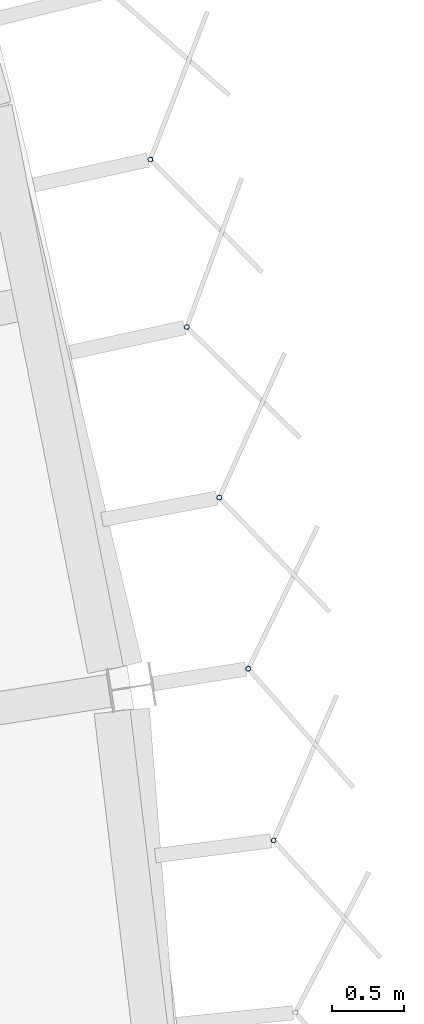
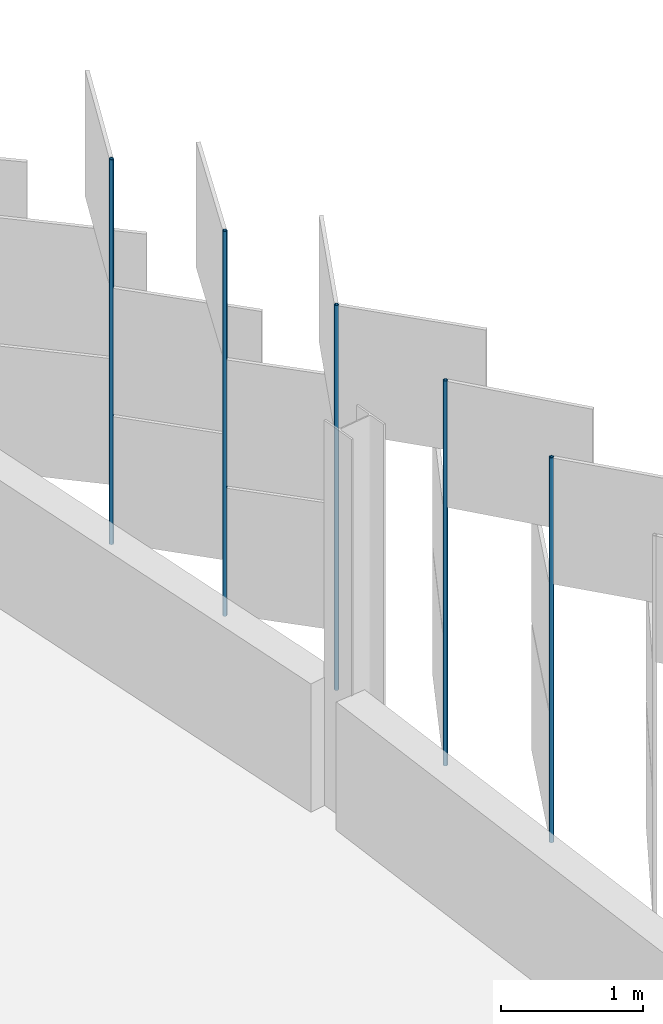
# One storey, part 119 of 198: 5 discrete accessories.
"""IFC4 building model written with IfcOpenShell, lengths in metres."""

import ifcopenshell
import ifcopenshell.guid

model = None  # the IFC model being written
_history = None  # IfcOwnerHistory: only IFC2X3 demands one
_inside = {}  # id of a spatial element -> (the spatial element, [elements in it])
_under = {}  # id of a project, library or spatial element -> (it, [spatial elements below it])
_declared = {}  # id of a project -> (the project, [libraries it declares])
_typed = {}  # id of a type object -> (the type object, [elements of that type])
_made_of = {}  # id of a material, layer set ... -> (it, [elements and type objects made of it])


def new_model(schema):
    """Start an empty IFC model of exactly this schema.

    Asked for "IFC4X3", IfcOpenShell would pick the latest addendum, in which some entities
    have other attributes; the version numbers below select the first issue.
    IFC2X3 requires an IfcOwnerHistory on every rooted entity: one is made here for all.
    """
    global model, _history
    if schema == "IFC4X3":
        model = ifcopenshell.file(schema_version=(4, 3, 0, 0))
    else:
        model = ifcopenshell.file(schema=schema)
    _inside.clear()
    _under.clear()
    _declared.clear()
    _typed.clear()
    _made_of.clear()
    _history = None
    if model.schema == "IFC2X3":
        org = make("IfcOrganization", Name="unknown")
        user = make(
            "IfcPersonAndOrganization",
            ThePerson=make("IfcPerson", FamilyName="unknown"),
            TheOrganization=org,
        )
        app = make(
            "IfcApplication",
            ApplicationDeveloper=org,
            Version="unknown",
            ApplicationFullName="unknown",
            ApplicationIdentifier="unknown",
        )
        _history = make(
            "IfcOwnerHistory",
            OwningUser=user,
            OwningApplication=app,
            ChangeAction="ADDED",
            CreationDate=0,
        )
    return model


def make(cls, **values):
    """One entity of the class cls with the attributes given. An attribute that is None is left unset."""
    return model.create_entity(
        cls, **{name: value for name, value in values.items() if value is not None}
    )


def rooted(cls, **values):
    """An entity with a GlobalId (a new one), such as an element, a storey or a relation."""
    return make(cls, GlobalId=ifcopenshell.guid.new(), OwnerHistory=_history, **values)


def si_unit(unit_type, name, prefix=None):
    """IfcSIUnit, for example si_unit("LENGTHUNIT", "METRE", prefix="MILLI")."""
    return make("IfcSIUnit", UnitType=unit_type, Prefix=prefix, Name=name)


def assignment(units):
    """IfcUnitAssignment: the units of a project."""
    return None if units is None else make("IfcUnitAssignment", Units=units)


def point(xyz):
    """IfcCartesianPoint."""
    return None if xyz is None else make("IfcCartesianPoint", Coordinates=xyz)


def direction(xyz):
    """IfcDirection."""
    return None if xyz is None else make("IfcDirection", DirectionRatios=xyz)


def frame(location, z_axis=None, x_axis=None):
    """IfcAxis2Placement3D, a coordinate frame: its origin and axes. An axis left out is left unset."""
    return make(
        "IfcAxis2Placement3D",
        Location=point(location),
        Axis=direction(z_axis),
        RefDirection=direction(x_axis),
    )


def frame_2d(location, x_axis=None):
    """IfcAxis2Placement2D, a coordinate frame in the plane: its origin and x axis."""
    return make(
        "IfcAxis2Placement2D", Location=point(location), RefDirection=direction(x_axis)
    )


def origin():
    """The frame at (0, 0, 0) with its axes left unset."""
    return frame((0.0, 0.0, 0.0))


def origin_2d():
    """The frame at (0, 0) in the plane with its x axis left unset."""
    return frame_2d((0.0, 0.0))


def place(relative_to, where):
    """IfcLocalPlacement: puts the frame where relative to a parent placement (None: the world)."""
    return make(
        "IfcLocalPlacement", PlacementRelTo=relative_to, RelativePlacement=where
    )


def context(
    kind, dimensions, precision=None, world=None, true_north=None, identifier=None
):
    """IfcGeometricRepresentationContext, for example the 3D "Model" context."""
    return make(
        "IfcGeometricRepresentationContext",
        ContextIdentifier=identifier,
        ContextType=kind,
        CoordinateSpaceDimension=dimensions,
        Precision=precision,
        WorldCoordinateSystem=world,
        TrueNorth=true_north,
    )


def subcontext(parent, identifier, kind, view, scale=None):
    """IfcGeometricRepresentationSubContext, for example "Body" below "Model"."""
    return make(
        "IfcGeometricRepresentationSubContext",
        ContextIdentifier=identifier,
        ContextType=kind,
        ParentContext=parent,
        TargetScale=scale,
        TargetView=view,
    )


def project(units=None, contexts=None):
    """IfcProject with its units and contexts."""
    return rooted(
        "IfcProject",
        Name="project",
        RepresentationContexts=contexts,
        UnitsInContext=assignment(units),
    )


def spatial(cls, under=None, at=None, **own):
    """A site, building, storey or space (cls), placed at a placement, below another one or the project."""
    s = rooted(cls, ObjectPlacement=at, **own)
    if under is not None:
        _under.setdefault(under.id(), (under, []))[1].append(s)
    return s


def profile(cls, at=None, kind="AREA", **sizes):
    """A parametric profile (cls). Its sizes go by their IFC names, for example OverallWidth=200.0."""
    return make(cls, ProfileType=kind, Position=at, **sizes)


def hollow_circle(**sizes):
    """IfcCircleHollowProfileDef."""
    return profile("IfcCircleHollowProfileDef", **sizes)


def extrude(swept, where, along, depth):
    """IfcExtrudedAreaSolid: the profile swept, set in the frame where, extruded along a direction by depth."""
    return make(
        "IfcExtrudedAreaSolid",
        SweptArea=swept,
        Position=where,
        ExtrudedDirection=direction(along),
        Depth=depth,
    )


def shape(context_of_items, identifier, shape_type, items):
    """IfcShapeRepresentation: the items that make up one representation, for example the "Body"."""
    return make(
        "IfcShapeRepresentation",
        ContextOfItems=context_of_items,
        RepresentationIdentifier=identifier,
        RepresentationType=shape_type,
        Items=items,
    )


def material(Name=None, Category=None):
    """IfcMaterial."""
    return make("IfcMaterial", Name=Name, Category=Category)


def material_profile(
    of_material, cross_section, Name=None, Category=None, Priority=None
):
    """IfcMaterialProfile: a cross section and its material."""
    return make(
        "IfcMaterialProfile",
        Name=Name,
        Material=of_material,
        Profile=cross_section,
        Priority=Priority,
        Category=Category,
    )


def profile_set(profiles, Name=None, composite=None):
    """IfcMaterialProfileSet."""
    return make(
        "IfcMaterialProfileSet",
        Name=Name,
        MaterialProfiles=profiles,
        CompositeProfile=composite,
    )


def made_of(thing, what):
    """Note that an element or type object is made of a material, layer set ...; save() writes the relation."""
    if what is not None:
        _made_of.setdefault(what.id(), (what, []))[1].append(thing)
    return thing


def type_object(cls, material=None, **own):
    """A type object (cls), such as IfcWallType, which elements share."""
    return made_of(rooted(cls, **own), material)


def element(
    cls,
    number,
    at=None,
    inside=None,
    cuts=None,
    type_object=None,
    material=None,
    context=None,
    identifier="Body",
    shape_type=None,
    held_by="IfcProductDefinitionShape",
    body=None,
    shapes=None,
    **own,
):
    """One element of the class cls, such as IfcWall. Its Tag is "e" and its number.

    at: its placement. inside: the storey or other place that contains it. cuts: it is an
    opening in that element (IfcRelVoidsElement). A single representation is given by context,
    identifier, shape_type and body (its items); several are given by shapes. held_by: the class
    of the entity that holds the representations. save() writes the other relations.
    """
    e = rooted(cls, Tag="e%d" % number, ObjectPlacement=at, **own)
    if body is not None:
        shapes = [shape(context, identifier, shape_type, body)]
    if shapes is not None:
        e.Representation = make(held_by, Representations=shapes)
    if inside is not None:
        _inside.setdefault(inside.id(), (inside, []))[1].append(e)
    if cuts is not None:
        rooted(
            "IfcRelVoidsElement", RelatingBuildingElement=cuts, RelatedOpeningElement=e
        )
    if type_object is not None:
        _typed.setdefault(type_object.id(), (type_object, []))[1].append(e)
    return made_of(e, material)


def aggregate(whole, parts):
    """IfcRelAggregates: a whole, such as a stair, and the parts it consists of."""
    return rooted("IfcRelAggregates", RelatingObject=whole, RelatedObjects=parts)


def save(model, path):
    """Write the relations noted so far, then the file.

    IfcRelAggregates (storeys below a building ...), IfcRelContainedInSpatialStructure (elements
    in a storey), IfcRelDefinesByType, IfcRelAssociatesMaterial and IfcRelDeclares: one each for
    every whole, place, type object, material and project.
    """
    for whole, parts in _under.values():
        aggregate(whole, parts)
    for where, things in _inside.values():
        rooted(
            "IfcRelContainedInSpatialStructure",
            RelatedElements=things,
            RelatingStructure=where,
        )
    for kind, things in _typed.values():
        rooted("IfcRelDefinesByType", RelatedObjects=things, RelatingType=kind)
    for what, things in _made_of.values():
        rooted("IfcRelAssociatesMaterial", RelatedObjects=things, RelatingMaterial=what)
    for by, libraries in _declared.values():
        rooted("IfcRelDeclares", RelatingContext=by, RelatedDefinitions=libraries)
    model.write(path)


model = new_model("IFC4")

# Units and contexts
model_context = context("Model", 3, precision=1e-05, world=origin(), true_north=direction((0.0, 1.0)))
body_context = subcontext(model_context, "Body", "Model", "MODEL_VIEW")
ifc_project = project(units=[si_unit("LENGTHUNIT", "METRE"), si_unit("AREAUNIT", "SQUARE_METRE"), si_unit("VOLUMEUNIT", "CUBIC_METRE"), si_unit("PLANEANGLEUNIT", "RADIAN"), si_unit("MASSUNIT", "GRAM", prefix="KILO")], contexts=[model_context])

# Site, building, storey
site_placement = place(None, origin())
site = spatial("IfcSite", under=ifc_project, at=site_placement, CompositionType="ELEMENT")
building_placement = place(site_placement, origin())
building = spatial("IfcBuilding", under=site, at=building_placement, Name="Parallax Yard Mobility Hub", CompositionType="ELEMENT")
storey_placement = place(building_placement, frame((0.0, 0.0, 6.60009765625)))
storey = spatial("IfcBuildingStorey", under=building, at=storey_placement, Name="L02", CompositionType="ELEMENT", Elevation=6.60009765625)

# Discrete accessories
ifc_material = material(Name="Steel ASTM A500 Gr C, hot-dip galvanised", Category="steel")
ifc_material_profile = material_profile(ifc_material, hollow_circle(Radius=0.016845703125, WallThickness=0.003173828125, at=origin_2d()), Name="CHS 33.7x3.2")
ifc_profile_set = profile_set([ifc_material_profile], Name="Steel ASTM A500 Gr C, hot-dip galvanised")
discrete_accessory_type = type_object("IfcDiscreteAccessoryType", Name="Hinge post CHS 33.7x3.2", PredefinedType="BRACKET", material=ifc_profile_set)
for number, where, z_axis, x_axis, name in (
    (1, (225.33740234375, 97.154296875, 0.0), (0.0, 0.0, 1.0), (1.0, 0.0, 0.0), "Hinge post bay 41.7 level L02"),
    (2, (225.162109375, 98.3408203125, 0.0), (0.0, 0.0, 1.0), (1.0, 0.0, 0.0), "Hinge post bay 42.1 level L02"),
    (3, (224.9619140625, 99.523681640625, 0.0), (0.0, 0.0, 1.0), (1.0, 0.0, 0.0), "Hinge post bay 42.2 level L02"),
    (4, (224.7373046875, 100.7021484375, 0.0), (0.0, 0.0, 1.0), (1.0, 0.0, 0.0), "Hinge post bay 42.3 level L02"),
    (5, (224.485595703125, 101.860107421875, 0.0), (0.0, 0.0, 1.0), (1.0, 0.0, 0.0), "Hinge post bay 42.4 level L02"),
):
    element("IfcDiscreteAccessory", number, at=place(storey_placement, frame(where, z_axis=z_axis, x_axis=x_axis)), inside=storey, type_object=discrete_accessory_type, Name=name, PredefinedType="BRACKET", context=body_context, shape_type="SweptSolid", body=[
        extrude(hollow_circle(Radius=0.016845703125, WallThickness=0.003173828125, at=origin_2d()), origin(), (0.0, 0.0, 1.0), 3.2998046875),
    ])

save(model, "model.ifc")
